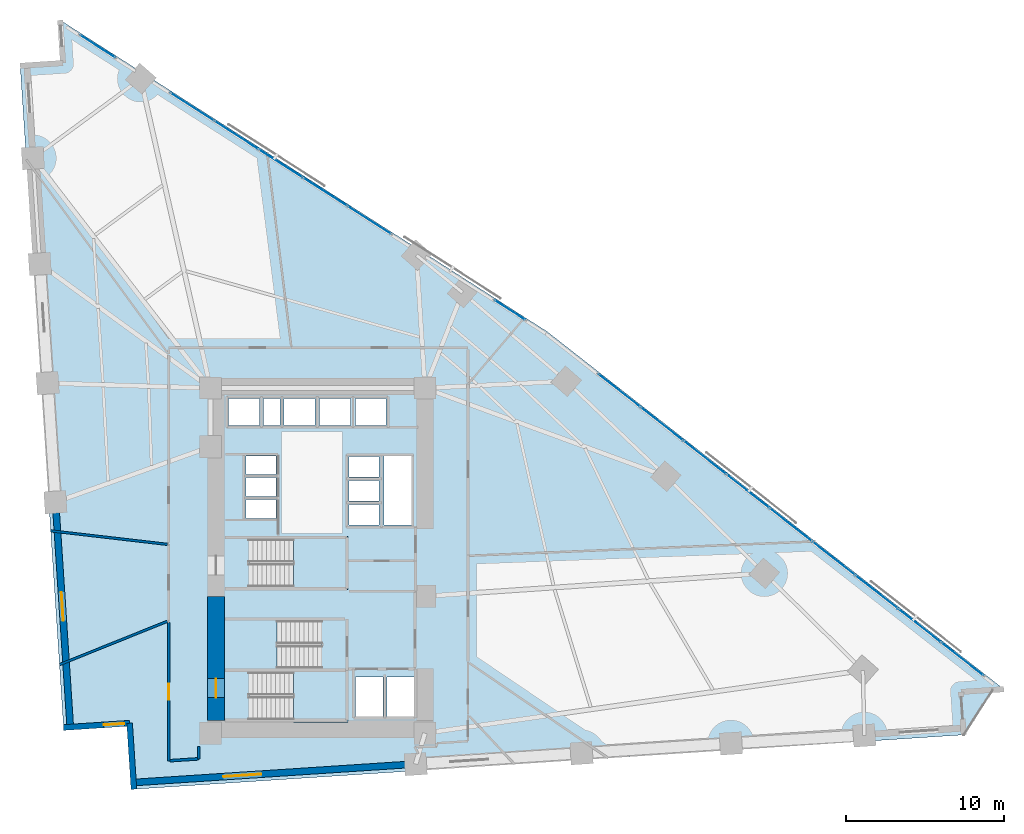
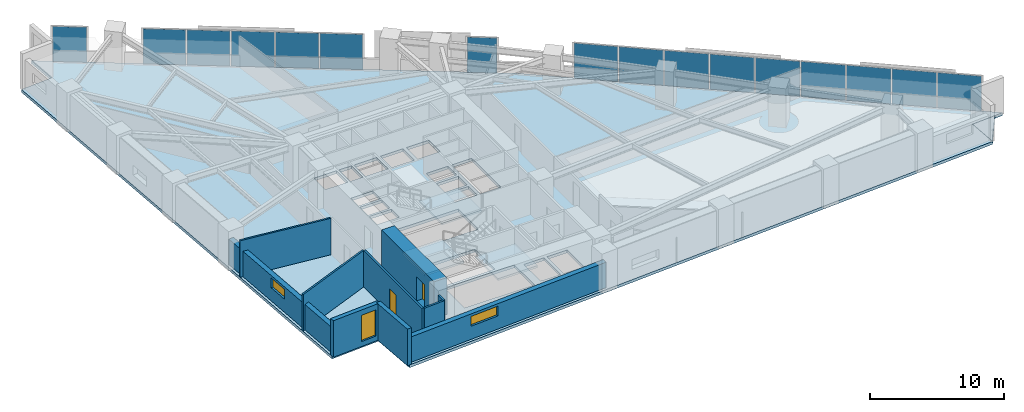
# One storey, part 11 of 16: 16 plates, 10 walls, 5 slabs, 3 windows, 2 doors, 5 openings, 7 elements without a shape of their own.
"""IFC4 building model written with IfcOpenShell, lengths in metres."""

from ifc_helpers import new_model, si_unit, direction, frame, frame_2d, origin, origin_2d, place, context, subcontext, project, spatial, polyline, rectangle, outline, extrude, material, layer, layer_set, type_object, element, fill, aggregate, save


model = new_model("IFC4")

# Units and contexts
model_context = context("Model", 3, precision=1e-05, world=origin(), true_north=direction((0.0, 1.0)))
body_context = subcontext(model_context, "Body", "Model", "MODEL_VIEW")
ifc_project = project(units=[si_unit("LENGTHUNIT", "METRE"), si_unit("AREAUNIT", "SQUARE_METRE"), si_unit("VOLUMEUNIT", "CUBIC_METRE"), si_unit("PLANEANGLEUNIT", "RADIAN"), si_unit("MASSUNIT", "GRAM", prefix="KILO")], contexts=[model_context])

# Site, building, storey
site_placement = place(None, origin())
site = spatial("IfcSite", under=ifc_project, at=site_placement, CompositionType="ELEMENT")
building_placement = place(site_placement, origin())
building = spatial("IfcBuilding", under=site, at=building_placement, Name="Narakoshi Arena Tower", CompositionType="ELEMENT")
storey_placement = place(building_placement, frame((0.0, 0.0, 81.300048828125)))
storey = spatial("IfcBuildingStorey", under=building, at=storey_placement, Name="L21", CompositionType="ELEMENT", Elevation=81.300048828125)

# Curtain wall, plates
ifc_material_1 = material(Name="Anodised bronze aluminium 6063-T6", Category="aluminium")
curtain_wall_type = type_object("IfcCurtainWallType", Name="CW-HYP-LOW", PredefinedType="NOTDEFINED", material=ifc_material_1)
curtain_wall_1_placement = place(storey_placement, origin())
curtain_wall_1 = element("IfcCurtainWall", 1, at=curtain_wall_1_placement, inside=storey, type_object=curtain_wall_type, Name="L21 Folded Hypotenuse Curtain Wall 1-1", PredefinedType="NOTDEFINED")
ifc_material_2 = material(Name="Bronze-tinted low-E laminated glass", Category="glass")
ifc_layer_1 = layer(ifc_material_2, 0.031982421875)
ifc_layer_set_1 = layer_set([ifc_layer_1], Name="Bronze-tinted low-E laminated glass")
plate_type = type_object("IfcPlateType", Name="PLT-GLZ-32", PredefinedType="CURTAIN_PANEL", material=ifc_layer_set_1)
plate_1_placement = place(storey_placement, frame((119.491455078125, 39.385986328125, 0.06494140625), z_axis=(0.0, 0.0, 1.0), x_axis=(-0.787387607817, 0.616458234641, 0.0)))
plate_1 = element("IfcPlate", 2, at=plate_1_placement, type_object=plate_type, Name="CW-01 panel 1.1", PredefinedType="CURTAIN_PANEL", context=body_context, shape_type="SweptSolid", body=[
    extrude(rectangle(XDim=3.331298828125, YDim=0.031982421875, at=origin_2d()), origin(), (0.0, 0.0, 1.0), 3.2099609375),
])
plate_2_placement = place(storey_placement, frame((116.794677734375, 41.497314453125, 0.06494140625), z_axis=(0.0, 0.0, 1.0), x_axis=(-0.787387607817, 0.616458234641, 0.0)))
plate_2 = element("IfcPlate", 3, at=plate_2_placement, type_object=plate_type, Name="CW-01 panel 2.1", PredefinedType="CURTAIN_PANEL", context=body_context, shape_type="SweptSolid", body=[
    extrude(rectangle(XDim=3.36865234375, YDim=0.031982421875, at=origin_2d()), origin(), (0.0, 0.0, 1.0), 3.2099609375),
])
plate_3_placement = place(storey_placement, frame((114.083251953125, 43.620361328125, 0.06494140625), z_axis=(0.0, 0.0, 1.0), x_axis=(-0.787387607817, 0.616458234641, 0.0)))
plate_3 = element("IfcPlate", 4, at=plate_3_placement, type_object=plate_type, Name="CW-01 panel 3.1", PredefinedType="CURTAIN_PANEL", context=body_context, shape_type="SweptSolid", body=[
    extrude(rectangle(XDim=3.36865234375, YDim=0.031982421875, at=origin_2d()), origin(), (0.0, 0.0, 1.0), 3.2099609375),
])
plate_4_placement = place(storey_placement, frame((111.37158203125, 45.7431640625, 0.06494140625), z_axis=(0.0, 0.0, 1.0), x_axis=(-0.787387607817, 0.616458234641, 0.0)))
plate_4 = element("IfcPlate", 5, at=plate_4_placement, type_object=plate_type, Name="CW-01 panel 4.1", PredefinedType="CURTAIN_PANEL", context=body_context, shape_type="SweptSolid", body=[
    extrude(rectangle(XDim=3.36865234375, YDim=0.031982421875, at=origin_2d()), origin(), (0.0, 0.0, 1.0), 3.2099609375),
])
plate_5_placement = place(storey_placement, frame((108.66015625, 47.8662109375, 0.06494140625), z_axis=(0.0, 0.0, 1.0), x_axis=(-0.787387607817, 0.616458234641, 0.0)))
plate_5 = element("IfcPlate", 6, at=plate_5_placement, type_object=plate_type, Name="CW-01 panel 5.1", PredefinedType="CURTAIN_PANEL", context=body_context, shape_type="SweptSolid", body=[
    extrude(rectangle(XDim=3.36865234375, YDim=0.031982421875, at=origin_2d()), origin(), (0.0, 0.0, 1.0), 3.2099609375),
])
plate_6_placement = place(storey_placement, frame((105.948486328125, 49.989013671875, 0.06494140625), z_axis=(0.0, 0.0, 1.0), x_axis=(-0.787387607817, 0.616458234641, 0.0)))
plate_6 = element("IfcPlate", 7, at=plate_6_placement, type_object=plate_type, Name="CW-01 panel 6.1", PredefinedType="CURTAIN_PANEL", context=body_context, shape_type="SweptSolid", body=[
    extrude(rectangle(XDim=3.36865234375, YDim=0.031982421875, at=origin_2d()), origin(), (0.0, 0.0, 1.0), 3.2099609375),
])
plate_7_placement = place(storey_placement, frame((103.237060546875, 52.11181640625, 0.06494140625), z_axis=(0.0, 0.0, 1.0), x_axis=(-0.787387607817, 0.616458234641, 0.0)))
plate_7 = element("IfcPlate", 8, at=plate_7_placement, type_object=plate_type, Name="CW-01 panel 7.1", PredefinedType="CURTAIN_PANEL", context=body_context, shape_type="SweptSolid", body=[
    extrude(rectangle(XDim=3.36865234375, YDim=0.031982421875, at=origin_2d()), origin(), (0.0, 0.0, 1.0), 3.2099609375),
])
plate_8_placement = place(storey_placement, frame((100.525634765625, 54.23486328125, 0.06494140625), z_axis=(0.0, 0.0, 1.0), x_axis=(-0.787387607817, 0.616458234641, 0.0)))
plate_8 = element("IfcPlate", 9, at=plate_8_placement, type_object=plate_type, Name="CW-01 panel 8.1", PredefinedType="CURTAIN_PANEL", context=body_context, shape_type="SweptSolid", body=[
    extrude(rectangle(XDim=3.36865234375, YDim=0.031982421875, at=origin_2d()), origin(), (0.0, 0.0, 1.0), 3.2099609375),
])
plate_9_placement = place(storey_placement, frame((97.828857421875, 56.34619140625, 0.06494140625), z_axis=(0.0, 0.0, 1.0), x_axis=(-0.787387607817, 0.616458234641, 0.0)))
plate_9 = element("IfcPlate", 10, at=plate_9_placement, type_object=plate_type, Name="CW-01 panel 9.1", PredefinedType="CURTAIN_PANEL", context=body_context, shape_type="SweptSolid", body=[
    extrude(rectangle(XDim=3.331298828125, YDim=0.031982421875, at=origin_2d()), origin(), (0.0, 0.0, 1.0), 3.2099609375),
])
aggregate(curtain_wall_1, [plate_1, plate_2, plate_3, plate_4, plate_5, plate_6, plate_7, plate_8, plate_9])

# Curtain wall, plate
curtain_wall_2_placement = place(storey_placement, origin())
curtain_wall_2 = element("IfcCurtainWall", 11, at=curtain_wall_2_placement, inside=storey, type_object=curtain_wall_type, Name="L21 Folded Hypotenuse Curtain Wall 2-1", PredefinedType="NOTDEFINED")
plate_10_placement = place(storey_placement, frame((90.921142578125, 61.4287109375, 0.06494140625), z_axis=(0.0, 0.0, 1.0), x_axis=(-0.842419407448, 0.538822365864, 0.0)))
plate_10 = element("IfcPlate", 12, at=plate_10_placement, type_object=plate_type, Name="CW-01 panel 1.1", PredefinedType="CURTAIN_PANEL", context=body_context, shape_type="SweptSolid", body=[
    extrude(rectangle(XDim=2.25439453125, YDim=0.031982421875, at=origin_2d()), origin(), (0.0, 0.0, 1.0), 3.2099609375),
])
aggregate(curtain_wall_2, [plate_10])

# Curtain wall, plates
curtain_wall_3_placement = place(storey_placement, origin())
curtain_wall_3 = element("IfcCurtainWall", 13, at=curtain_wall_3_placement, inside=storey, type_object=curtain_wall_type, Name="L21 Folded Hypotenuse Curtain Wall 2-2", PredefinedType="NOTDEFINED")
plate_11_placement = place(storey_placement, frame((82.033447265625, 67.113525390625, 0.06494140625), z_axis=(0.0, 0.0, 1.0), x_axis=(-0.842415100992, 0.538829098714, 0.0)))
plate_11 = element("IfcPlate", 14, at=plate_11_placement, type_object=plate_type, Name="CW-01 panel 1.1", PredefinedType="CURTAIN_PANEL", context=body_context, shape_type="SweptSolid", body=[
    extrude(rectangle(XDim=3.2158203125, YDim=0.031982421875, at=origin_2d()), origin(), (0.0, 0.0, 1.0), 3.2099609375),
])
plate_12_placement = place(storey_placement, frame((79.24560546875, 68.896728515625, 0.06494140625), z_axis=(0.0, 0.0, 1.0), x_axis=(-0.842415100992, 0.538829098714, 0.0)))
plate_12 = element("IfcPlate", 15, at=plate_12_placement, type_object=plate_type, Name="CW-01 panel 2.1", PredefinedType="CURTAIN_PANEL", context=body_context, shape_type="SweptSolid", body=[
    extrude(rectangle(XDim=3.253173828125, YDim=0.031982421875, at=origin_2d()), origin(), (0.0, 0.0, 1.0), 3.2099609375),
])
plate_13_placement = place(storey_placement, frame((76.441650390625, 70.690185546875, 0.06494140625), z_axis=(0.0, 0.0, 1.0), x_axis=(-0.842415100992, 0.538829098714, 0.0)))
plate_13 = element("IfcPlate", 16, at=plate_13_placement, type_object=plate_type, Name="CW-01 panel 3.1", PredefinedType="CURTAIN_PANEL", context=body_context, shape_type="SweptSolid", body=[
    extrude(rectangle(XDim=3.253173828125, YDim=0.031982421875, at=origin_2d()), origin(), (0.0, 0.0, 1.0), 3.2099609375),
])
plate_14_placement = place(storey_placement, frame((73.637939453125, 72.4833984375, 0.06494140625), z_axis=(0.0, 0.0, 1.0), x_axis=(-0.842415100992, 0.538829098714, 0.0)))
plate_14 = element("IfcPlate", 17, at=plate_14_placement, type_object=plate_type, Name="CW-01 panel 4.1", PredefinedType="CURTAIN_PANEL", context=body_context, shape_type="SweptSolid", body=[
    extrude(rectangle(XDim=3.253173828125, YDim=0.031982421875, at=origin_2d()), origin(), (0.0, 0.0, 1.0), 3.2099609375),
])
plate_15_placement = place(storey_placement, frame((70.85009765625, 74.266845703125, 0.06494140625), z_axis=(0.0, 0.0, 1.0), x_axis=(-0.842415100992, 0.538829098714, 0.0)))
plate_15 = element("IfcPlate", 18, at=plate_15_placement, type_object=plate_type, Name="CW-01 panel 5.1", PredefinedType="CURTAIN_PANEL", context=body_context, shape_type="SweptSolid", body=[
    extrude(rectangle(XDim=3.2158203125, YDim=0.031982421875, at=origin_2d()), origin(), (0.0, 0.0, 1.0), 3.2099609375),
])
aggregate(curtain_wall_3, [plate_11, plate_12, plate_13, plate_14, plate_15])

# Curtain wall, plate
curtain_wall_4_placement = place(storey_placement, origin())
curtain_wall_4 = element("IfcCurtainWall", 19, at=curtain_wall_4_placement, inside=storey, type_object=curtain_wall_type, Name="L21 Folded Hypotenuse Curtain Wall 2-3", PredefinedType="NOTDEFINED")
plate_16_placement = place(storey_placement, frame((64.867919921875, 78.093017578125, 0.06494140625), z_axis=(0.0, 0.0, 1.0), x_axis=(-0.842407418791, 0.538841109017, 0.0)))
plate_16 = element("IfcPlate", 20, at=plate_16_placement, type_object=plate_type, Name="CW-01 panel 1.1", PredefinedType="CURTAIN_PANEL", context=body_context, shape_type="SweptSolid", body=[
    extrude(rectangle(XDim=2.60009765625, YDim=0.031982421875, at=origin_2d()), origin(), (0.0, 0.0, 1.0), 3.2099609375),
])
aggregate(curtain_wall_4, [plate_16])

# Stair, slab
ifc_material_3 = material(Name="Concrete C45/55", Category="concrete")
stair_type = type_object("IfcStairType", Name="STR-CORE-360", PredefinedType="TWO_STRAIGHT_RUN_STAIR", material=ifc_material_3)
stair_1_placement = place(storey_placement, origin())
stair_1 = element("IfcStair", 21, at=stair_1_placement, inside=storey, type_object=stair_type, Name="L21 Core Escape Stair ST1", PredefinedType="TWO_STRAIGHT_RUN_STAIR")
ifc_layer_2 = layer(ifc_material_3, 0.18994140625)
ifc_layer_set_2 = layer_set([ifc_layer_2], Name="Concrete C45/55")
slab_type_1 = type_object("IfcSlabType", Name="SLB-LND-190", PredefinedType="LANDING", material=ifc_layer_set_2)
slab_1_placement = place(storey_placement, frame((0.0, 0.0, 1.60986328125)))
slab_1 = element("IfcSlab", 22, at=slab_1_placement, type_object=slab_type_1, Name="ST1 landing 1", PredefinedType="LANDING", context=body_context, shape_type="SweptSolid", body=[
    extrude(outline(polyline([(77.25, 35.3701171875), (80.679931640625, 35.3701171875), (80.679931640625, 38.72998046875), (77.25, 38.72998046875), (77.25, 35.3701171875)])), origin(), (0.0, 0.0, 1.0), 0.190185546875),
])
aggregate(stair_1, [slab_1])

stair_2_placement = place(storey_placement, origin())
stair_2 = element("IfcStair", 23, at=stair_2_placement, inside=storey, type_object=stair_type, Name="L21 Core Escape Stair ST2", PredefinedType="TWO_STRAIGHT_RUN_STAIR")
slab_2_placement = place(storey_placement, frame((0.0, 0.0, 1.60986328125)))
slab_2 = element("IfcSlab", 24, at=slab_2_placement, type_object=slab_type_1, Name="ST2 landing 1", PredefinedType="LANDING", context=body_context, shape_type="SweptSolid", body=[
    extrude(outline(polyline([(72.77001953125, 38.6201171875), (76.199951171875, 38.6201171875), (76.199951171875, 41.97998046875), (72.77001953125, 41.97998046875), (72.77001953125, 38.6201171875)])), origin(), (0.0, 0.0, 1.0), 0.190185546875),
])
aggregate(stair_2, [slab_2])

stair_3_placement = place(storey_placement, origin())
stair_3 = element("IfcStair", 25, at=stair_3_placement, inside=storey, type_object=stair_type, Name="L21 Core Escape Stair ST3", PredefinedType="TWO_STRAIGHT_RUN_STAIR")
slab_3_placement = place(storey_placement, frame((0.0, 0.0, 1.60986328125)))
slab_3 = element("IfcSlab", 26, at=slab_3_placement, type_object=slab_type_1, Name="ST3 landing 1", PredefinedType="LANDING", context=body_context, shape_type="SweptSolid", body=[
    extrude(outline(polyline([(77.25, 43.77001953125), (80.679931640625, 43.77001953125), (80.679931640625, 47.1298828125), (77.25, 47.1298828125), (77.25, 43.77001953125)])), origin(), (0.0, 0.0, 1.0), 0.190185546875),
])
aggregate(stair_3, [slab_3])

# Slabs
ifc_material_4 = material(Name="Concrete C50/60", Category="concrete")
ifc_layer_3 = layer(ifc_material_4, 0.260009765625)
ifc_layer_set_3 = layer_set([ifc_layer_3], Name="Concrete C50/60")
slab_type_2 = type_object("IfcSlabType", Name="SLB-SKY-260", PredefinedType="FLOOR", material=ifc_layer_set_3)
slab_4_placement = place(storey_placement, frame((0.0, 0.0, -0.260009765625)))
element("IfcSlab", 27, at=slab_4_placement, inside=storey, type_object=slab_type_2, Name="L21 Structural Floor Slab", PredefinedType="FLOOR", context=body_context, shape_type="SweptSolid", body=[
    extrude(outline(polyline([(67.160888671875, 31.15869140625), (119.58447265625, 34.594482421875), (119.40673828125, 37.30517578125), (122.1171875, 37.48291015625), (93.26220703125, 60.07373046875), (62.5107421875, 79.743408203125), (62.688232421875, 77.03271484375), (59.977783203125, 76.85498046875), (62.717529296875, 35.055419921875), (66.887451171875, 35.32861328125), (67.160888671875, 31.15869140625)]), holes=[polyline([(74.47998046875, 35.550048828125), (74.47998046875, 38.550048828125), (80.5, 38.550048828125), (80.5, 35.550048828125), (74.47998046875, 35.550048828125)]), polyline([(81.14990234375, 35.75), (81.14990234375, 38.25), (82.89990234375, 38.25), (82.89990234375, 35.75), (81.14990234375, 35.75)]), polyline([(83.14990234375, 35.75), (83.14990234375, 38.25), (84.89990234375, 38.25), (84.89990234375, 35.75), (83.14990234375, 35.75)]), polyline([(72.949951171875, 38.800048828125), (72.949951171875, 41.800048828125), (78.969970703125, 41.800048828125), (78.969970703125, 38.800048828125), (72.949951171875, 38.800048828125)]), polyline([(74.47998046875, 43.949951171875), (74.47998046875, 46.949951171875), (80.5, 46.949951171875), (80.5, 43.949951171875), (74.47998046875, 43.949951171875)]), polyline([(82.949951171875, 47.840087890625), (82.949951171875, 52.199951171875), (84.699951171875, 52.199951171875), (84.699951171875, 47.840087890625), (82.949951171875, 47.840087890625)]), polyline([(80.75, 47.85009765625), (80.75, 49.14990234375), (82.64990234375, 49.14990234375), (82.64990234375, 47.85009765625), (80.75, 47.85009765625)]), polyline([(74.25, 48.25), (74.25, 49.449951171875), (76.14990234375, 49.449951171875), (76.14990234375, 48.25), (74.25, 48.25)]), polyline([(80.75, 49.3701171875), (80.75, 50.669921875), (82.64990234375, 50.669921875), (82.64990234375, 49.3701171875), (80.75, 49.3701171875)]), polyline([(74.25, 49.64990234375), (74.25, 50.85009765625), (76.14990234375, 50.85009765625), (76.14990234375, 49.64990234375), (74.25, 49.64990234375)]), polyline([(80.75, 50.889892578125), (80.75, 52.18994140625), (82.64990234375, 52.18994140625), (82.64990234375, 50.889892578125), (80.75, 50.889892578125)]), polyline([(74.25, 51.050048828125), (74.25, 52.2099609375), (76.14990234375, 52.2099609375), (76.14990234375, 51.050048828125), (74.25, 51.050048828125)]), polyline([(73.14990234375, 54.14990234375), (73.14990234375, 55.85009765625), (75.10009765625, 55.85009765625), (75.10009765625, 54.14990234375), (73.14990234375, 54.14990234375)]), polyline([(75.35009765625, 54.14990234375), (75.35009765625, 55.85009765625), (76.39990234375, 55.85009765625), (76.39990234375, 54.14990234375), (75.35009765625, 54.14990234375)]), polyline([(76.64990234375, 54.14990234375), (76.64990234375, 55.85009765625), (78.60009765625, 55.85009765625), (78.60009765625, 54.14990234375), (76.64990234375, 54.14990234375)]), polyline([(78.89990234375, 55.85009765625), (80.85009765625, 55.85009765625), (80.85009765625, 54.14990234375), (78.89990234375, 54.14990234375), (78.89990234375, 55.85009765625)]), polyline([(81.14990234375, 55.85009765625), (83.10009765625, 55.85009765625), (83.10009765625, 54.14990234375), (81.14990234375, 54.14990234375), (81.14990234375, 55.85009765625)])]), origin(), (0.0, 0.0, 1.0), 0.260009765625),
])
ifc_layer_4 = layer(ifc_material_3, 0.239990234375)
ifc_layer_set_4 = layer_set([ifc_layer_4], Name="Concrete C45/55")
slab_type_3 = type_object("IfcSlabType", Name="SLB-TERR-240", PredefinedType="ROOF", material=ifc_layer_set_4)
slab_5_placement = place(storey_placement, frame((0.0, 0.0, -0.239990234375)))
element("IfcSlab", 28, at=slab_5_placement, inside=storey, type_object=slab_type_3, Name="L21 Corner Notch Loggia Balcony Slab", PredefinedType="ROOF", context=body_context, shape_type="SweptSolid", body=[
    extrude(outline(polyline([(121.410888671875, 37.43505859375), (119.408935546875, 37.302978515625), (119.5859375, 34.596923828125), (121.410888671875, 37.43505859375)])), origin(), (0.0, 0.0, 1.0), 0.239990234375),
])

# Wall, opening, door
ifc_material_5 = material(Name="Concrete C60/75", Category="concrete")
ifc_layer_5 = layer(ifc_material_5, 1.10009765625)
ifc_layer_set_5 = layer_set([ifc_layer_5], Name="Concrete C60/75")
wall_type_1 = type_object("IfcWallType", Name="WL-CORE-1100", PredefinedType="SHEAR", material=ifc_layer_set_5)
wall_1_placement = place(storey_placement, frame((72.35009765625, 35.5, -0.260009765625), z_axis=(0.0, 0.0, 1.0), x_axis=(0.0, 1.0, 0.0)))
wall_1 = element("IfcWall", 29, at=wall_1_placement, inside=storey, type_object=wall_type_1, Name="L21 Central Core Shear Wall CW-APX-W", PredefinedType="SHEAR", context=body_context, shape_type="SweptSolid", body=[
    extrude(rectangle(XDim=7.85009765625, YDim=1.10009765625, at=frame_2d((3.925048828125, 0.0))), origin(), (0.0, 0.0, 1.0), 3.599853515625),
])
opening_1_placement = place(wall_1_placement, frame((1.449951171875, 0.0, 0.260009765625)))
opening_1 = element("IfcOpeningElement", 30, at=opening_1_placement, cuts=wall_1, Name="Opening D-03", PredefinedType="OPENING", context=body_context, shape_type="SweptSolid", body=[
    extrude(rectangle(XDim=1.199951171875, YDim=2.199951171875, at=frame_2d((0.60009765625, 1.10009765625))), frame((0.0, 0.56005859375, 0.0), z_axis=(0.0, -1.0, 0.0), x_axis=(1.0, 0.0, 0.0)), (0.0, 0.0, 1.0), 1.1201171875),
])
ifc_material_6 = material(Name="Painted galvanized steel", Category="steel")
door_type_1 = type_object("IfcDoorType", Name="DR-STR-1200", OperationType="NOTDEFINED", PredefinedType="USERDEFINED", material=ifc_material_6)
door_1_placement = place(opening_1_placement, frame((1.199951171875, 0.0, 0.0), z_axis=(0.0, 0.0, 1.0), x_axis=(-1.0, 0.0, 0.0)))
door_1 = element("IfcDoor", 31, at=door_1_placement, inside=storey, type_object=door_type_1, Name="DR-L21-002", ObjectType="EXITDOOR", OperationType="SINGLE_SWING_LEFT", OverallHeight=2.199951171875, OverallWidth=1.199951171875, PredefinedType="USERDEFINED", context=body_context, shape_type="SweptSolid", body=[
    extrude(rectangle(XDim=1.199951171875, YDim=2.199951171875, at=frame_2d((0.60009765625, 1.10009765625))), frame((0.0, 0.02490234375, 0.0), z_axis=(0.0, -1.0, 0.0), x_axis=(1.0, 0.0, 0.0)), (0.0, 0.0, 1.0), 0.050048828125),
])
fill(opening_1, door_1)

ifc_material_7 = material(Name="Gypsum plasterboard fire-rated partition")
ifc_layer_6 = layer(ifc_material_7, 0.1650390625)
ifc_layer_set_6 = layer_set([ifc_layer_6], Name="Gypsum plasterboard fire-rated partition")
wall_type_2 = type_object("IfcWallType", Name="WL-CORR-165", PredefinedType="PARTITIONING", material=ifc_layer_set_6)
wall_2_placement = place(storey_placement, frame((69.357421875, 41.677978515625, 0.0), z_axis=(0.0, 0.0, 1.0), x_axis=(0.0, -1.0, 0.0)))
wall_2 = element("IfcWall", 32, at=wall_2_placement, inside=storey, type_object=wall_type_2, Name="L21 Corridor Partition 02-1", PredefinedType="PARTITIONING", context=body_context, shape_type="SweptSolid", body=[
    extrude(rectangle(XDim=8.721923828125, YDim=0.1650390625, at=frame_2d((4.36083984375, 0.0))), origin(), (0.0, 0.0, 1.0), 3.33984375),
])
opening_2_placement = place(wall_2_placement, frame((3.86083984375, 0.0, 0.0)))
opening_2 = element("IfcOpeningElement", 33, at=opening_2_placement, cuts=wall_2, Name="Opening D-06", PredefinedType="OPENING", context=body_context, shape_type="SweptSolid", body=[
    extrude(rectangle(XDim=1.0, YDim=2.199951171875, at=frame_2d((0.5, 1.10009765625))), frame((0.0, 0.092529296875, 0.0), z_axis=(0.0, -1.0, 0.0), x_axis=(1.0, 0.0, 0.0)), (0.0, 0.0, 1.0), 0.18505859375),
])
ifc_material_8 = material(Name="Stained oak solid-core timber", Category="wood")
door_type_2 = type_object("IfcDoorType", Name="DR-OFF-1000", OperationType="NOTDEFINED", PredefinedType="DOOR", material=ifc_material_8)
door_2_placement = place(opening_2_placement, frame((1.0, 0.0, 0.0), z_axis=(0.0, 0.0, 1.0), x_axis=(-1.0, 0.0, 0.0)))
door_2 = element("IfcDoor", 34, at=door_2_placement, inside=storey, type_object=door_type_2, Name="DR-L21-015", OperationType="SINGLE_SWING_RIGHT", OverallHeight=2.199951171875, OverallWidth=1.0, PredefinedType="DOOR", context=body_context, shape_type="SweptSolid", body=[
    extrude(rectangle(XDim=1.0, YDim=2.199951171875, at=frame_2d((0.5, 1.10009765625))), frame((0.0, 0.02490234375, 0.0), z_axis=(0.0, -1.0, 0.0), x_axis=(1.0, 0.0, 0.0)), (0.0, 0.0, 1.0), 0.050048828125),
])
fill(opening_2, door_2)

# Walls
wall_3_placement = place(storey_placement, frame((69.451904296875, 32.96240234375, 0.0), z_axis=(0.0, 0.0, 1.0), x_axis=(0.997865352124, 0.065304969413, 0.0)))
element("IfcWall", 35, at=wall_3_placement, inside=storey, type_object=wall_type_2, Name="L21 Corridor Partition 02-2", PredefinedType="PARTITIONING", context=body_context, shape_type="SweptSolid", body=[
    extrude(rectangle(XDim=1.802001953125, YDim=0.1650390625, at=frame_2d((0.90087890625, 0.0))), origin(), (0.0, 0.0, 1.0), 3.33984375),
])
wall_4_placement = place(storey_placement, frame((71.25, 33.080078125, 0.0), z_axis=(0.0, 0.0, 1.0), x_axis=(0.0, 1.0, 0.0)))
element("IfcWall", 36, at=wall_4_placement, inside=storey, type_object=wall_type_2, Name="L21 Corridor Partition 02-3", PredefinedType="PARTITIONING", context=body_context, shape_type="SweptSolid", body=[
    extrude(rectangle(XDim=0.77001953125, YDim=0.1650390625, at=frame_2d((0.385009765625, 0.0))), origin(), (0.0, 0.0, 1.0), 3.33984375),
])

# Wall, opening, window
ifc_material_9 = material(Name="Precast concrete C45/55", Category="concrete")
ifc_layer_7 = layer(ifc_material_9, 0.419921875)
ifc_layer_set_7 = layer_set([ifc_layer_7], Name="Precast concrete C45/55")
wall_type_3 = type_object("IfcWallType", Name="WL-POD-420", PredefinedType="SOLIDWALL", material=ifc_layer_set_7)
wall_5_placement = place(storey_placement, frame((67.133056640625, 31.582763671875, 0.0), z_axis=(0.0, 0.0, 1.0), x_axis=(0.997859040617, 0.065401338356, 0.0)))
wall_5 = element("IfcWall", 37, at=wall_5_placement, inside=storey, type_object=wall_type_3, Name="L21 Architectural Concrete Facade Wall LEGA-1", PredefinedType="SOLIDWALL", context=body_context, shape_type="SweptSolid", body=[
    extrude(rectangle(XDim=17.8623046875, YDim=0.419921875, at=frame_2d((8.93115234375, 0.0))), origin(), (0.0, 0.0, 1.0), 2.324951171875),
])
opening_3_placement = place(wall_5_placement, frame((5.699951171875, 0.0, 1.199951171875)))
opening_3 = element("IfcOpeningElement", 38, at=opening_3_placement, cuts=wall_5, Name="Opening WN-01", PredefinedType="OPENING", context=body_context, shape_type="SweptSolid", body=[
    extrude(rectangle(XDim=2.39990234375, YDim=0.89990234375, at=frame_2d((1.199951171875, 0.449951171875))), frame((0.0, 0.219970703125, 0.0), z_axis=(0.0, -1.0, 0.0), x_axis=(1.0, 0.0, 0.0)), (0.0, 0.0, 1.0), 0.43994140625),
])
window_type_1 = type_object("IfcWindowType", Name="WIN-SLT-24x09", PartitioningType="SINGLE_PANEL", PredefinedType="WINDOW", material=ifc_material_2)
window_1_placement = place(opening_3_placement, origin())
window_1 = element("IfcWindow", 39, at=window_1_placement, inside=storey, type_object=window_type_1, Name="L21 LEGA1 Horizontal Slot Window 1", OverallHeight=0.89990234375, OverallWidth=2.39990234375, PartitioningType="SINGLE_PANEL", PredefinedType="WINDOW", context=body_context, shape_type="SweptSolid", body=[
    extrude(rectangle(XDim=2.39990234375, YDim=0.89990234375, at=frame_2d((1.199951171875, 0.449951171875))), frame((0.0, 0.030029296875, 0.0), z_axis=(0.0, -1.0, 0.0), x_axis=(1.0, 0.0, 0.0)), (0.0, 0.0, 1.0), 0.06005859375),
])
fill(opening_3, window_1)

wall_6_placement = place(storey_placement, frame((62.210205078125, 49.294921875, 0.0), z_axis=(0.0, 0.0, 1.0), x_axis=(0.065396027757, -0.997859388668, 0.0)))
wall_6 = element("IfcWall", 40, at=wall_6_placement, inside=storey, type_object=wall_type_3, Name="L21 Architectural Concrete Facade Wall LEGB-3", PredefinedType="SOLIDWALL", context=body_context, shape_type="SweptSolid", body=[
    extrude(rectangle(XDim=14.242431640625, YDim=0.419921875, at=frame_2d((7.12109375, 0.0))), origin(), (0.0, 0.0, 1.0), 2.324951171875),
])
opening_4_placement = place(wall_6_placement, frame((5.699951171875, 0.0, 1.199951171875)))
opening_4 = element("IfcOpeningElement", 41, at=opening_4_placement, cuts=wall_6, Name="Opening WN-02", PredefinedType="OPENING", context=body_context, shape_type="SweptSolid", body=[
    extrude(rectangle(XDim=1.800048828125, YDim=0.89990234375, at=frame_2d((0.89990234375, 0.449951171875))), frame((0.0, 0.219970703125, 0.0), z_axis=(0.0, -1.0, 0.0), x_axis=(1.0, 0.0, 0.0)), (0.0, 0.0, 1.0), 0.43994140625),
])
window_type_2 = type_object("IfcWindowType", Name="WIN-SLT-18x09", PartitioningType="SINGLE_PANEL", PredefinedType="WINDOW", material=ifc_material_2)
window_2_placement = place(opening_4_placement, origin())
window_2 = element("IfcWindow", 42, at=window_2_placement, inside=storey, type_object=window_type_2, Name="L21 LEGB3 Horizontal Slot Window 1", OverallHeight=0.89990234375, OverallWidth=1.800048828125, PartitioningType="SINGLE_PANEL", PredefinedType="WINDOW", context=body_context, shape_type="SweptSolid", body=[
    extrude(rectangle(XDim=1.800048828125, YDim=0.89990234375, at=frame_2d((0.89990234375, 0.449951171875))), frame((0.0, 0.030029296875, 0.0), z_axis=(0.0, -1.0, 0.0), x_axis=(1.0, 0.0, 0.0)), (0.0, 0.0, 1.0), 0.06005859375),
])
fill(opening_4, window_2)

wall_7_placement = place(storey_placement, frame((62.717529296875, 35.055419921875, 0.0), z_axis=(0.0, 0.0, 1.0), x_axis=(0.997860761953, 0.065375069826, 0.0)))
wall_7 = element("IfcWall", 43, at=wall_7_placement, inside=storey, type_object=wall_type_3, Name="L21 Re-Entrant Corner Notch Wall NTA-1", PredefinedType="SOLIDWALL", context=body_context, shape_type="SweptSolid", body=[
    extrude(rectangle(XDim=4.178955078125, YDim=0.360107421875, at=frame_2d((2.08935546875, 0.0))), origin(), (0.0, 0.0, 1.0), 3.33984375),
])
opening_5_placement = place(wall_7_placement, frame((2.5390625, 0.0, 0.449951171875)))
opening_5 = element("IfcOpeningElement", 44, at=opening_5_placement, cuts=wall_7, Name="Opening WN-06", PredefinedType="OPENING", context=body_context, shape_type="SweptSolid", body=[
    extrude(rectangle(XDim=1.300048828125, YDim=2.39990234375, at=frame_2d((0.64990234375, 1.199951171875))), frame((0.0, 0.18994140625, 0.0), z_axis=(0.0, -1.0, 0.0), x_axis=(1.0, 0.0, 0.0)), (0.0, 0.0, 1.0), 0.380126953125),
])
window_type_3 = type_object("IfcWindowType", Name="WIN-NTC-16x24", PartitioningType="SINGLE_PANEL", PredefinedType="WINDOW", material=ifc_material_2)
window_3_placement = place(opening_5_placement, origin())
window_3 = element("IfcWindow", 45, at=window_3_placement, inside=storey, type_object=window_type_3, Name="L21 Corner Notch Window NTA", OverallHeight=2.39990234375, OverallWidth=1.300048828125, PartitioningType="SINGLE_PANEL", PredefinedType="WINDOW", context=body_context, shape_type="SweptSolid", body=[
    extrude(rectangle(XDim=1.300048828125, YDim=2.39990234375, at=frame_2d((0.64990234375, 1.199951171875))), frame((0.0, 0.030029296875, 0.0), z_axis=(0.0, -1.0, 0.0), x_axis=(1.0, 0.0, 0.0)), (0.0, 0.0, 1.0), 0.06005859375),
])
fill(opening_5, window_3)

# Walls
wall_8_placement = place(storey_placement, frame((66.887451171875, 35.32861328125, 0.0), z_axis=(0.0, 0.0, 1.0), x_axis=(0.065433242561, -0.99785694905, 0.0)))
element("IfcWall", 46, at=wall_8_placement, inside=storey, type_object=wall_type_3, Name="L21 Re-Entrant Corner Notch Wall NTA-2", PredefinedType="SOLIDWALL", context=body_context, shape_type="SweptSolid", body=[
    extrude(rectangle(XDim=4.178955078125, YDim=0.360107421875, at=frame_2d((2.08935546875, 0.0))), origin(), (0.0, 0.0, 1.0), 3.33984375),
])
ifc_material_10 = material(Name="Moisture-resistant cement-board partition")
ifc_layer_8 = layer(ifc_material_10, 0.14501953125)
ifc_layer_set_8 = layer_set([ifc_layer_8], Name="Moisture-resistant cement-board partition")
wall_type_4 = type_object("IfcWallType", Name="WL-WET-145", PredefinedType="PARTITIONING", material=ifc_layer_set_8)
wall_9_placement = place(storey_placement, frame((69.27294921875, 41.769287109375, 0.0), z_axis=(0.0, 0.0, 1.0), x_axis=(-0.927693147959, -0.373343572637, 0.0)))
element("IfcWall", 47, at=wall_9_placement, inside=storey, type_object=wall_type_4, Name="L21 Inter-Room Partition 01-02", PredefinedType="PARTITIONING", context=body_context, shape_type="SweptSolid", body=[
    extrude(rectangle(XDim=7.346923828125, YDim=0.14501953125, at=frame_2d((3.67333984375, 0.0))), origin(), (0.0, 0.0, 1.0), 3.33984375),
])
wall_10_placement = place(storey_placement, frame((61.90283203125, 47.48388671875, 0.0), z_axis=(0.0, 0.0, 1.0), x_axis=(0.993345954264, -0.115168637867, 0.0)))
element("IfcWall", 48, at=wall_10_placement, inside=storey, type_object=wall_type_4, Name="L21 Inter-Room Partition 01-09", PredefinedType="PARTITIONING", context=body_context, shape_type="SweptSolid", body=[
    extrude(rectangle(XDim=7.41943359375, YDim=0.14501953125, at=frame_2d((3.709716796875, 0.0))), origin(), (0.0, 0.0, 1.0), 3.33984375),
])

save(model, "model.ifc")
